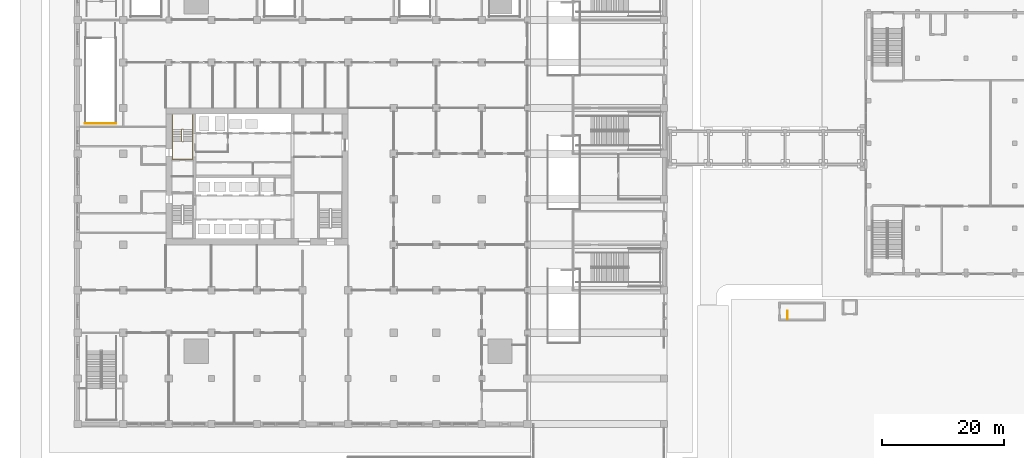
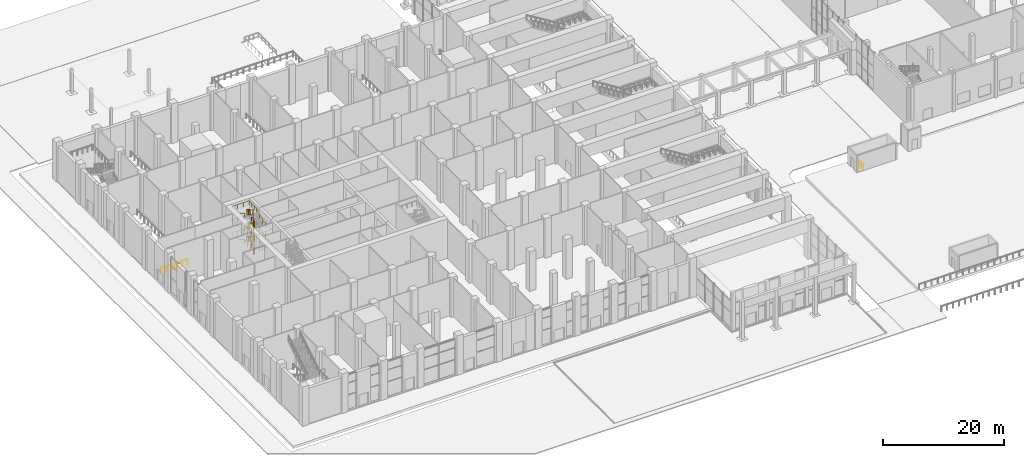
# One storey, part 44 of 57: 4 railings.
"""IFC4 building model written with IfcOpenShell, lengths in metres."""

from ifc_helpers import new_model, si_unit, direction, frame, origin, origin_2d, place, context, subcontext, project, spatial, circle, extrude, material, type_object, element, save


model = new_model("IFC4")

# Units and contexts
model_context = context("Model", 3, precision=1e-05, world=origin(), true_north=direction((0.0, 1.0)))
body_context = subcontext(model_context, "Body", "Model", "MODEL_VIEW")
ifc_project = project(units=[si_unit("LENGTHUNIT", "METRE"), si_unit("AREAUNIT", "SQUARE_METRE"), si_unit("VOLUMEUNIT", "CUBIC_METRE"), si_unit("PLANEANGLEUNIT", "RADIAN"), si_unit("MASSUNIT", "GRAM", prefix="KILO")], contexts=[model_context])

# Site, building, storey
site_placement = place(None, origin())
site = spatial("IfcSite", under=ifc_project, at=site_placement, CompositionType="ELEMENT")
building_placement = place(site_placement, origin())
building = spatial("IfcBuilding", under=site, at=building_placement, Name="Tamorin Gate", CompositionType="ELEMENT")
storey_placement = place(building_placement, origin())
storey = spatial("IfcBuildingStorey", under=building, at=storey_placement, Name="L00", CompositionType="ELEMENT", Elevation=0.0)

# Railings
ifc_material_1 = material(Name="Steel", Category="steel")
railing_type_1 = type_object("IfcRailingType", Name="Podium guard 1100", PredefinedType="GUARDRAIL", material=ifc_material_1)
railing_1_placement = place(storey_placement, frame((16.675048828125, 79.949951171875, 0.0)))
element("IfcRailing", 1, at=railing_1_placement, inside=storey, type_object=railing_type_1, Name="L00 SB1 top well guard 4", PredefinedType="GUARDRAIL", context=body_context, shape_type="SweptSolid", body=[
    extrude(circle(Radius=0.02392578125, at=origin_2d()), frame((0.0, 0.0, 1.076171875), z_axis=(1.0, 0.0, 0.0), x_axis=(0.0, 1.0, 0.0)), (0.0, 0.0, 1.0), 5.14990234375),
    extrude(circle(Radius=0.02099609375, at=origin_2d()), origin(), (0.0, 0.0, 1.0), 1.052001953125),
    extrude(circle(Radius=0.02099609375, at=origin_2d()), frame((1.030029296875, 0.0, 0.0)), (0.0, 0.0, 1.0), 1.052001953125),
    extrude(circle(Radius=0.02099609375, at=origin_2d()), frame((2.06005859375, 0.0, 0.0)), (0.0, 0.0, 1.0), 1.052001953125),
    extrude(circle(Radius=0.02099609375, at=origin_2d()), frame((3.08984375, 0.0, 0.0)), (0.0, 0.0, 1.0), 1.052001953125),
    extrude(circle(Radius=0.02099609375, at=origin_2d()), frame((4.119873046875, 0.0, 0.0)), (0.0, 0.0, 1.0), 1.052001953125),
    extrude(circle(Radius=0.02099609375, at=origin_2d()), frame((5.14990234375, 0.0, 0.0)), (0.0, 0.0, 1.0), 1.052001953125),
])
ifc_material_2 = material(Name="Painted steel balustrade", Category="steel")
railing_type_2 = type_object("IfcRailingType", Name="Stair guard 1100", PredefinedType="GUARDRAIL", material=ifc_material_2)
railing_2_placement = place(storey_placement, frame((32.89990234375, 77.0, 0.166748046875)))
element("IfcRailing", 2, at=railing_2_placement, inside=storey, type_object=railing_type_2, Name="L00 ST2 stair guard 1", PredefinedType="GUARDRAIL", context=body_context, shape_type="SweptSolid", body=[
    extrude(circle(Radius=0.02392578125, at=origin_2d()), frame((0.0, 0.0, 1.076171875), z_axis=(0.0, 0.85931976652, 0.511438695121), x_axis=(-1.0, 0.0, 0.0)), (0.0, 0.0, 1.0), 2.28076171875),
    extrude(circle(Radius=0.02392578125, at=origin_2d()), frame((0.0, 1.9599609375, 2.24267578125), z_axis=(-0.705375805398, 0.708833529934, 0.0), x_axis=(-0.708833529934, -0.705375805398, 0.0)), (0.0, 0.0, 1.0), 0.070556640625),
    extrude(circle(Radius=0.02392578125, at=origin_2d()), frame((-0.0498046875, 2.010009765625, 2.24267578125), z_axis=(-1.0, 0.0, 0.0), x_axis=(0.0, -1.0, 0.0)), (0.0, 0.0, 1.0), 0.2001953125),
    extrude(circle(Radius=0.02392578125, at=origin_2d()), frame((-0.25, 2.010009765625, 2.24267578125), z_axis=(-0.275041040955, -0.276389281352, 0.920848191041), x_axis=(0.708833529934, -0.705375805398, 0.0)), (0.0, 0.0, 1.0), 0.18115234375),
    extrude(circle(Radius=0.02392578125, at=origin_2d()), frame((-0.2998046875, 1.9599609375, 2.4091796875), z_axis=(0.0, -0.859272722373, 0.511517730471), x_axis=(1.0, 0.0, 0.0)), (0.0, 0.0, 1.0), 2.281005859375),
    extrude(circle(Radius=0.02392578125, at=origin_2d()), frame((-0.2998046875, 0.0, 3.576171875), z_axis=(0.98054382908, -0.196300278283, 0.0), x_axis=(0.196300278283, 0.98054382908, 0.0)), (0.0, 0.0, 1.0), 0.2548828125),
    extrude(circle(Radius=0.02392578125, at=origin_2d()), frame((-0.0498046875, -0.050048828125, 3.576171875), z_axis=(-1.0, 0.0, 0.0), x_axis=(0.0, -1.0, 0.0)), (0.0, 0.0, 1.0), 0.2001953125),
    extrude(circle(Radius=0.02392578125, at=origin_2d()), frame((-0.25, -0.050048828125, 3.576171875), z_axis=(0.820981822184, 0.164356712449, 0.546786721416), x_axis=(-0.196300278283, 0.98054382908, 0.0)), (0.0, 0.0, 1.0), 0.304443359375),
    extrude(circle(Radius=0.02392578125, at=origin_2d()), frame((0.0, 0.0, 3.74267578125), z_axis=(0.0, 0.859272722373, 0.511517730471), x_axis=(-1.0, 0.0, 0.0)), (0.0, 0.0, 1.0), 2.281005859375),
    extrude(circle(Radius=0.02392578125, at=origin_2d()), frame((0.0, 1.9599609375, 4.9091796875), z_axis=(-0.705375805398, 0.708833529934, 0.0), x_axis=(-0.708833529934, -0.705375805398, 0.0)), (0.0, 0.0, 1.0), 0.070556640625),
    extrude(circle(Radius=0.02392578125, at=origin_2d()), frame((-0.0498046875, 2.010009765625, 4.9091796875), z_axis=(-1.0, 0.0, 0.0), x_axis=(0.0, -1.0, 0.0)), (0.0, 0.0, 1.0), 0.2001953125),
    extrude(circle(Radius=0.02392578125, at=origin_2d()), frame((-0.25, 2.010009765625, 4.9091796875), z_axis=(-0.275041040955, -0.276389281352, 0.920848191041), x_axis=(0.708833529934, -0.705375805398, 0.0)), (0.0, 0.0, 1.0), 0.18115234375),
    extrude(circle(Radius=0.02392578125, at=origin_2d()), frame((-0.2998046875, 1.9599609375, 5.076171875), z_axis=(0.0, -0.85931976652, 0.511438695121), x_axis=(1.0, 0.0, 0.0)), (0.0, 0.0, 1.0), 2.28076171875),
    extrude(circle(Radius=0.02392578125, at=origin_2d()), frame((-0.2998046875, 0.0, 6.24267578125), z_axis=(0.98054382908, -0.196300278283, 0.0), x_axis=(0.196300278283, 0.98054382908, 0.0)), (0.0, 0.0, 1.0), 0.2548828125),
    extrude(circle(Radius=0.02392578125, at=origin_2d()), frame((-0.0498046875, -0.050048828125, 6.24267578125), z_axis=(-1.0, 0.0, 0.0), x_axis=(0.0, -1.0, 0.0)), (0.0, 0.0, 1.0), 0.2001953125),
    extrude(circle(Radius=0.02392578125, at=origin_2d()), frame((-0.25, -0.050048828125, 6.24267578125), z_axis=(0.820621892478, 0.164284656209, 0.547348391174), x_axis=(-0.196300278283, 0.98054382908, 0.0)), (0.0, 0.0, 1.0), 0.3046875),
    extrude(circle(Radius=0.02392578125, at=origin_2d()), frame((0.0, 0.0, 6.4091796875), z_axis=(0.0, 0.859272722373, 0.511517730471), x_axis=(-1.0, 0.0, 0.0)), (0.0, 0.0, 1.0), 2.281005859375),
    extrude(circle(Radius=0.02392578125, at=origin_2d()), frame((0.0, 1.9599609375, 7.576171875), z_axis=(-0.705375805398, 0.708833529934, 0.0), x_axis=(-0.708833529934, -0.705375805398, 0.0)), (0.0, 0.0, 1.0), 0.070556640625),
    extrude(circle(Radius=0.02392578125, at=origin_2d()), frame((-0.0498046875, 2.010009765625, 7.576171875), z_axis=(-1.0, 0.0, 0.0), x_axis=(0.0, -1.0, 0.0)), (0.0, 0.0, 1.0), 0.2001953125),
    extrude(circle(Radius=0.02392578125, at=origin_2d()), frame((-0.25, 2.010009765625, 7.576171875), z_axis=(-0.275382897532, -0.276732813696, 0.920642824102), x_axis=(0.708833529934, -0.705375805398, 0.0)), (0.0, 0.0, 1.0), 0.180908203125),
    extrude(circle(Radius=0.02392578125, at=origin_2d()), frame((-0.2998046875, 1.9599609375, 7.74267578125), z_axis=(0.0, -0.859272722373, 0.511517730471), x_axis=(1.0, 0.0, 0.0)), (0.0, 0.0, 1.0), 2.281005859375),
    extrude(circle(Radius=0.02392578125, at=origin_2d()), frame((-0.2998046875, 0.0, 8.9091796875), z_axis=(0.031234141746, -0.006252928768, -0.999492535876), x_axis=(0.196300278283, 0.98054382908, 0.0)), (0.0, 0.0, 1.0), 8.004150390625),
    extrude(circle(Radius=0.02392578125, at=origin_2d()), frame((-0.0498046875, -0.050048828125, 0.9091796875), z_axis=(-1.0, 0.0, 0.0), x_axis=(0.0, -1.0, 0.0)), (0.0, 0.0, 1.0), 0.2001953125),
    extrude(circle(Radius=0.02099609375, at=origin_2d()), origin(), (0.0, 0.0, 1.0), 1.052001953125),
    extrude(circle(Radius=0.02099609375, at=origin_2d()), frame((0.0, 0.97998046875, 0.583251953125)), (0.0, 0.0, 1.0), 1.052001953125),
    extrude(circle(Radius=0.02099609375, at=origin_2d()), frame((0.0, 1.9599609375, 1.16650390625)), (0.0, 0.0, 1.0), 1.052001953125),
    extrude(circle(Radius=0.02099609375, at=origin_2d()), frame((-0.0498046875, 2.010009765625, 1.16650390625)), (0.0, 0.0, 1.0), 1.052001953125),
    extrude(circle(Radius=0.02099609375, at=origin_2d()), frame((-0.25, 2.010009765625, 1.16650390625)), (0.0, 0.0, 1.0), 1.052001953125),
    extrude(circle(Radius=0.02099609375, at=origin_2d()), frame((-0.2998046875, 1.9599609375, 1.333251953125)), (0.0, 0.0, 1.0), 1.052001953125),
    extrude(circle(Radius=0.02099609375, at=origin_2d()), frame((-0.2998046875, 0.97998046875, 1.91650390625)), (0.0, 0.0, 1.0), 1.052001953125),
    extrude(circle(Radius=0.02099609375, at=origin_2d()), frame((-0.2998046875, 0.0, 2.5)), (0.0, 0.0, 1.0), 1.052001953125),
    extrude(circle(Radius=0.02099609375, at=origin_2d()), frame((-0.0498046875, -0.050048828125, 2.5)), (0.0, 0.0, 1.0), 1.052001953125),
    extrude(circle(Radius=0.02099609375, at=origin_2d()), frame((-0.25, -0.050048828125, 2.5)), (0.0, 0.0, 1.0), 1.052001953125),
    extrude(circle(Radius=0.02099609375, at=origin_2d()), frame((0.0, 0.0, 2.66650390625)), (0.0, 0.0, 1.0), 1.052001953125),
    extrude(circle(Radius=0.02099609375, at=origin_2d()), frame((0.0, 0.97998046875, 3.25)), (0.0, 0.0, 1.0), 1.052001953125),
    extrude(circle(Radius=0.02099609375, at=origin_2d()), frame((0.0, 1.9599609375, 3.833251953125)), (0.0, 0.0, 1.0), 1.052001953125),
    extrude(circle(Radius=0.02099609375, at=origin_2d()), frame((-0.0498046875, 2.010009765625, 3.833251953125)), (0.0, 0.0, 1.0), 1.052001953125),
    extrude(circle(Radius=0.02099609375, at=origin_2d()), frame((-0.25, 2.010009765625, 3.833251953125)), (0.0, 0.0, 1.0), 1.052001953125),
    extrude(circle(Radius=0.02099609375, at=origin_2d()), frame((-0.2998046875, 1.9599609375, 4.0)), (0.0, 0.0, 1.0), 1.052001953125),
    extrude(circle(Radius=0.02099609375, at=origin_2d()), frame((-0.2998046875, 0.97998046875, 4.583251953125)), (0.0, 0.0, 1.0), 1.052001953125),
    extrude(circle(Radius=0.02099609375, at=origin_2d()), frame((-0.2998046875, 0.0, 5.16650390625)), (0.0, 0.0, 1.0), 1.052001953125),
    extrude(circle(Radius=0.02099609375, at=origin_2d()), frame((-0.0498046875, -0.050048828125, 5.16650390625)), (0.0, 0.0, 1.0), 1.052001953125),
    extrude(circle(Radius=0.02099609375, at=origin_2d()), frame((-0.25, -0.050048828125, 5.16650390625)), (0.0, 0.0, 1.0), 1.052001953125),
    extrude(circle(Radius=0.02099609375, at=origin_2d()), frame((0.0, 0.0, 5.333251953125)), (0.0, 0.0, 1.0), 1.052001953125),
    extrude(circle(Radius=0.02099609375, at=origin_2d()), frame((0.0, 0.97998046875, 5.91650390625)), (0.0, 0.0, 1.0), 1.052001953125),
    extrude(circle(Radius=0.02099609375, at=origin_2d()), frame((0.0, 1.9599609375, 6.5)), (0.0, 0.0, 1.0), 1.052001953125),
    extrude(circle(Radius=0.02099609375, at=origin_2d()), frame((-0.0498046875, 2.010009765625, 6.5)), (0.0, 0.0, 1.0), 1.052001953125),
    extrude(circle(Radius=0.02099609375, at=origin_2d()), frame((-0.25, 2.010009765625, 6.5)), (0.0, 0.0, 1.0), 1.052001953125),
    extrude(circle(Radius=0.02099609375, at=origin_2d()), frame((-0.2998046875, 1.9599609375, 6.66650390625)), (0.0, 0.0, 1.0), 1.052001953125),
    extrude(circle(Radius=0.02099609375, at=origin_2d()), frame((-0.2998046875, 0.97998046875, 7.25)), (0.0, 0.0, 1.0), 1.052001953125),
    extrude(circle(Radius=0.02099609375, at=origin_2d()), frame((-0.2998046875, 0.0, 7.833251953125)), (0.0, 0.0, 1.0), 1.052001953125),
    extrude(circle(Radius=0.02099609375, at=origin_2d()), frame((-0.26416015625, -0.007080078125, 6.6904296875)), (0.0, 0.0, 1.0), 1.052001953125),
    extrude(circle(Radius=0.02099609375, at=origin_2d()), frame((-0.228271484375, -0.014404296875, 5.547607421875)), (0.0, 0.0, 1.0), 1.052001953125),
    extrude(circle(Radius=0.02099609375, at=origin_2d()), frame((-0.192626953125, -0.021484375, 4.40478515625)), (0.0, 0.0, 1.0), 1.052001953125),
    extrude(circle(Radius=0.02099609375, at=origin_2d()), frame((-0.156982421875, -0.028564453125, 3.26171875)), (0.0, 0.0, 1.0), 1.052001953125),
    extrude(circle(Radius=0.02099609375, at=origin_2d()), frame((-0.121337890625, -0.03564453125, 2.118896484375)), (0.0, 0.0, 1.0), 1.052001953125),
    extrude(circle(Radius=0.02099609375, at=origin_2d()), frame((-0.08544921875, -0.04296875, 0.97607421875)), (0.0, 0.0, 1.0), 1.052001953125),
    extrude(circle(Radius=0.02099609375, at=origin_2d()), frame((-0.0498046875, -0.050048828125, -0.166748046875)), (0.0, 0.0, 1.0), 1.052001953125),
    extrude(circle(Radius=0.02099609375, at=origin_2d()), frame((-0.25, -0.050048828125, -0.166748046875)), (0.0, 0.0, 1.0), 1.052001953125),
])
ifc_material_3 = material(Name="Painted steel handrail", Category="steel")
railing_type_3 = type_object("IfcRailingType", Name="Stair handrail 900", PredefinedType="HANDRAIL", material=ifc_material_3)
railing_3_placement = place(storey_placement, frame((34.449951171875, 77.0, 0.166748046875)))
element("IfcRailing", 3, at=railing_3_placement, inside=storey, type_object=railing_type_3, Name="L00 ST2 stair handrail 1", PredefinedType="HANDRAIL", context=body_context, shape_type="SweptSolid", body=[
    extrude(circle(Radius=0.02392578125, at=origin_2d()), frame((0.0, 0.0, 0.8759765625), z_axis=(0.0, 0.85931976652, 0.511438695121), x_axis=(-1.0, 0.0, 0.0)), (0.0, 0.0, 1.0), 2.28076171875),
    extrude(circle(Radius=0.02392578125, at=origin_2d()), frame((0.0, 1.9599609375, 2.04248046875), z_axis=(0.0, 1.0, 0.0), x_axis=(-1.0, 0.0, 0.0)), (0.0, 0.0, 1.0), 2.489990234375),
    extrude(circle(Radius=0.02392578125, at=origin_2d()), frame((0.0, 4.449951171875, 2.04248046875), z_axis=(-1.0, 0.0, 0.0), x_axis=(0.0, -1.0, 0.0)), (0.0, 0.0, 1.0), 3.39990234375),
    extrude(circle(Radius=0.02392578125, at=origin_2d()), frame((-3.39990234375, 4.449951171875, 2.04248046875), z_axis=(0.0, -0.99776520091, 0.066817691168), x_axis=(1.0, 0.0, 0.0)), (0.0, 0.0, 1.0), 2.49560546875),
    extrude(circle(Radius=0.02392578125, at=origin_2d()), frame((-3.39990234375, 1.9599609375, 2.208984375), z_axis=(0.0, -0.859272722373, 0.511517730471), x_axis=(1.0, 0.0, 0.0)), (0.0, 0.0, 1.0), 2.281005859375),
    extrude(circle(Radius=0.02392578125, at=origin_2d()), frame((-3.39990234375, 0.0, 3.3759765625), z_axis=(0.0, -1.0, 0.0), x_axis=(1.0, 0.0, 0.0)), (0.0, 0.0, 1.0), 2.949951171875),
    extrude(circle(Radius=0.02392578125, at=origin_2d()), frame((-3.39990234375, -2.949951171875, 3.3759765625), z_axis=(1.0, 0.0, 0.0), x_axis=(0.0, 1.0, 0.0)), (0.0, 0.0, 1.0), 3.39990234375),
    extrude(circle(Radius=0.02392578125, at=origin_2d()), frame((0.0, -2.949951171875, 3.3759765625), z_axis=(0.0, 0.998410893399, 0.056353242514), x_axis=(-1.0, 0.0, 0.0)), (0.0, 0.0, 1.0), 2.95458984375),
    extrude(circle(Radius=0.02392578125, at=origin_2d()), frame((0.0, 0.0, 3.54248046875), z_axis=(0.0, 0.859272722373, 0.511517730471), x_axis=(-1.0, 0.0, 0.0)), (0.0, 0.0, 1.0), 2.281005859375),
    extrude(circle(Radius=0.02392578125, at=origin_2d()), frame((0.0, 1.9599609375, 4.708984375), z_axis=(0.0, 1.0, 0.0), x_axis=(-1.0, 0.0, 0.0)), (0.0, 0.0, 1.0), 2.489990234375),
    extrude(circle(Radius=0.02392578125, at=origin_2d()), frame((0.0, 4.449951171875, 4.708984375), z_axis=(-1.0, 0.0, 0.0), x_axis=(0.0, -1.0, 0.0)), (0.0, 0.0, 1.0), 3.39990234375),
    extrude(circle(Radius=0.02392578125, at=origin_2d()), frame((-3.39990234375, 4.449951171875, 4.708984375), z_axis=(0.0, -0.99776520091, 0.066817691168), x_axis=(1.0, 0.0, 0.0)), (0.0, 0.0, 1.0), 2.49560546875),
    extrude(circle(Radius=0.02392578125, at=origin_2d()), frame((-3.39990234375, 1.9599609375, 4.8759765625), z_axis=(0.0, -0.85931976652, 0.511438695121), x_axis=(1.0, 0.0, 0.0)), (0.0, 0.0, 1.0), 2.28076171875),
    extrude(circle(Radius=0.02392578125, at=origin_2d()), frame((-3.39990234375, 0.0, 6.04248046875), z_axis=(0.0, -1.0, 0.0), x_axis=(1.0, 0.0, 0.0)), (0.0, 0.0, 1.0), 2.949951171875),
    extrude(circle(Radius=0.02392578125, at=origin_2d()), frame((-3.39990234375, -2.949951171875, 6.04248046875), z_axis=(1.0, 0.0, 0.0), x_axis=(0.0, 1.0, 0.0)), (0.0, 0.0, 1.0), 3.39990234375),
    extrude(circle(Radius=0.02392578125, at=origin_2d()), frame((0.0, -2.949951171875, 6.04248046875), z_axis=(0.0, 0.998406240989, 0.056435608921), x_axis=(-1.0, 0.0, 0.0)), (0.0, 0.0, 1.0), 2.95458984375),
    extrude(circle(Radius=0.02392578125, at=origin_2d()), frame((0.0, 0.0, 6.208984375), z_axis=(0.0, 0.859272722373, 0.511517730471), x_axis=(-1.0, 0.0, 0.0)), (0.0, 0.0, 1.0), 2.281005859375),
    extrude(circle(Radius=0.02392578125, at=origin_2d()), frame((0.0, 1.9599609375, 7.3759765625), z_axis=(0.0, 1.0, 0.0), x_axis=(-1.0, 0.0, 0.0)), (0.0, 0.0, 1.0), 2.489990234375),
    extrude(circle(Radius=0.02392578125, at=origin_2d()), frame((0.0, 4.449951171875, 7.3759765625), z_axis=(-1.0, 0.0, 0.0), x_axis=(0.0, -1.0, 0.0)), (0.0, 0.0, 1.0), 3.39990234375),
    extrude(circle(Radius=0.02392578125, at=origin_2d()), frame((-3.39990234375, 4.449951171875, 7.3759765625), z_axis=(0.0, -0.997771718346, 0.066720297275), x_axis=(1.0, 0.0, 0.0)), (0.0, 0.0, 1.0), 2.49560546875),
    extrude(circle(Radius=0.02392578125, at=origin_2d()), frame((-3.39990234375, 1.9599609375, 7.54248046875), z_axis=(0.0, -0.859272722373, 0.511517730471), x_axis=(1.0, 0.0, 0.0)), (0.0, 0.0, 1.0), 2.281005859375),
    extrude(circle(Radius=0.02099609375, at=origin_2d()), origin(), (0.0, 0.0, 1.0), 0.851806640625),
    extrude(circle(Radius=0.02099609375, at=origin_2d()), frame((0.0, 0.97998046875, 0.583251953125)), (0.0, 0.0, 1.0), 0.851806640625),
    extrude(circle(Radius=0.02099609375, at=origin_2d()), frame((0.0, 1.9599609375, 1.16650390625)), (0.0, 0.0, 1.0), 0.851806640625),
    extrude(circle(Radius=0.02099609375, at=origin_2d()), frame((0.0, 2.7900390625, 1.16650390625)), (0.0, 0.0, 1.0), 0.851806640625),
    extrude(circle(Radius=0.02099609375, at=origin_2d()), frame((0.0, 3.619873046875, 1.16650390625)), (0.0, 0.0, 1.0), 0.851806640625),
    extrude(circle(Radius=0.02099609375, at=origin_2d()), frame((0.0, 4.449951171875, 1.16650390625)), (0.0, 0.0, 1.0), 0.851806640625),
    extrude(circle(Radius=0.02099609375, at=origin_2d()), frame((-1.13330078125, 4.449951171875, 1.16650390625)), (0.0, 0.0, 1.0), 0.851806640625),
    extrude(circle(Radius=0.02099609375, at=origin_2d()), frame((-2.2666015625, 4.449951171875, 1.16650390625)), (0.0, 0.0, 1.0), 0.851806640625),
    extrude(circle(Radius=0.02099609375, at=origin_2d()), frame((-3.39990234375, 4.449951171875, 1.16650390625)), (0.0, 0.0, 1.0), 0.851806640625),
    extrude(circle(Radius=0.02099609375, at=origin_2d()), frame((-3.39990234375, 3.619873046875, 1.22216796875)), (0.0, 0.0, 1.0), 0.851806640625),
    extrude(circle(Radius=0.02099609375, at=origin_2d()), frame((-3.39990234375, 2.7900390625, 1.277587890625)), (0.0, 0.0, 1.0), 0.851806640625),
    extrude(circle(Radius=0.02099609375, at=origin_2d()), frame((-3.39990234375, 1.9599609375, 1.333251953125)), (0.0, 0.0, 1.0), 0.851806640625),
    extrude(circle(Radius=0.02099609375, at=origin_2d()), frame((-3.39990234375, 0.97998046875, 1.91650390625)), (0.0, 0.0, 1.0), 0.851806640625),
    extrude(circle(Radius=0.02099609375, at=origin_2d()), frame((-3.39990234375, 0.0, 2.5)), (0.0, 0.0, 1.0), 0.851806640625),
    extrude(circle(Radius=0.02099609375, at=origin_2d()), frame((-3.39990234375, -0.9833984375, 2.5)), (0.0, 0.0, 1.0), 0.851806640625),
    extrude(circle(Radius=0.02099609375, at=origin_2d()), frame((-3.39990234375, -1.966552734375, 2.5)), (0.0, 0.0, 1.0), 0.851806640625),
    extrude(circle(Radius=0.02099609375, at=origin_2d()), frame((-3.39990234375, -2.949951171875, 2.5)), (0.0, 0.0, 1.0), 0.851806640625),
    extrude(circle(Radius=0.02099609375, at=origin_2d()), frame((-2.2666015625, -2.949951171875, 2.5)), (0.0, 0.0, 1.0), 0.851806640625),
    extrude(circle(Radius=0.02099609375, at=origin_2d()), frame((-1.13330078125, -2.949951171875, 2.5)), (0.0, 0.0, 1.0), 0.851806640625),
    extrude(circle(Radius=0.02099609375, at=origin_2d()), frame((0.0, -2.949951171875, 2.5)), (0.0, 0.0, 1.0), 0.851806640625),
    extrude(circle(Radius=0.02099609375, at=origin_2d()), frame((0.0, -1.966552734375, 2.555419921875)), (0.0, 0.0, 1.0), 0.851806640625),
    extrude(circle(Radius=0.02099609375, at=origin_2d()), frame((0.0, -0.9833984375, 2.611083984375)), (0.0, 0.0, 1.0), 0.851806640625),
    extrude(circle(Radius=0.02099609375, at=origin_2d()), frame((0.0, 0.0, 2.66650390625)), (0.0, 0.0, 1.0), 0.851806640625),
    extrude(circle(Radius=0.02099609375, at=origin_2d()), frame((0.0, 0.97998046875, 3.25)), (0.0, 0.0, 1.0), 0.851806640625),
    extrude(circle(Radius=0.02099609375, at=origin_2d()), frame((0.0, 1.9599609375, 3.833251953125)), (0.0, 0.0, 1.0), 0.851806640625),
    extrude(circle(Radius=0.02099609375, at=origin_2d()), frame((0.0, 2.7900390625, 3.833251953125)), (0.0, 0.0, 1.0), 0.851806640625),
    extrude(circle(Radius=0.02099609375, at=origin_2d()), frame((0.0, 3.619873046875, 3.833251953125)), (0.0, 0.0, 1.0), 0.851806640625),
    extrude(circle(Radius=0.02099609375, at=origin_2d()), frame((0.0, 4.449951171875, 3.833251953125)), (0.0, 0.0, 1.0), 0.851806640625),
    extrude(circle(Radius=0.02099609375, at=origin_2d()), frame((-1.13330078125, 4.449951171875, 3.833251953125)), (0.0, 0.0, 1.0), 0.851806640625),
    extrude(circle(Radius=0.02099609375, at=origin_2d()), frame((-2.2666015625, 4.449951171875, 3.833251953125)), (0.0, 0.0, 1.0), 0.851806640625),
    extrude(circle(Radius=0.02099609375, at=origin_2d()), frame((-3.39990234375, 4.449951171875, 3.833251953125)), (0.0, 0.0, 1.0), 0.851806640625),
    extrude(circle(Radius=0.02099609375, at=origin_2d()), frame((-3.39990234375, 3.619873046875, 3.888916015625)), (0.0, 0.0, 1.0), 0.851806640625),
    extrude(circle(Radius=0.02099609375, at=origin_2d()), frame((-3.39990234375, 2.7900390625, 3.9443359375)), (0.0, 0.0, 1.0), 0.851806640625),
    extrude(circle(Radius=0.02099609375, at=origin_2d()), frame((-3.39990234375, 1.9599609375, 4.0)), (0.0, 0.0, 1.0), 0.851806640625),
    extrude(circle(Radius=0.02099609375, at=origin_2d()), frame((-3.39990234375, 0.97998046875, 4.583251953125)), (0.0, 0.0, 1.0), 0.851806640625),
    extrude(circle(Radius=0.02099609375, at=origin_2d()), frame((-3.39990234375, 0.0, 5.16650390625)), (0.0, 0.0, 1.0), 0.851806640625),
    extrude(circle(Radius=0.02099609375, at=origin_2d()), frame((-3.39990234375, -0.9833984375, 5.16650390625)), (0.0, 0.0, 1.0), 0.851806640625),
    extrude(circle(Radius=0.02099609375, at=origin_2d()), frame((-3.39990234375, -1.966552734375, 5.16650390625)), (0.0, 0.0, 1.0), 0.851806640625),
    extrude(circle(Radius=0.02099609375, at=origin_2d()), frame((-3.39990234375, -2.949951171875, 5.16650390625)), (0.0, 0.0, 1.0), 0.851806640625),
    extrude(circle(Radius=0.02099609375, at=origin_2d()), frame((-2.2666015625, -2.949951171875, 5.16650390625)), (0.0, 0.0, 1.0), 0.851806640625),
    extrude(circle(Radius=0.02099609375, at=origin_2d()), frame((-1.13330078125, -2.949951171875, 5.16650390625)), (0.0, 0.0, 1.0), 0.851806640625),
    extrude(circle(Radius=0.02099609375, at=origin_2d()), frame((0.0, -2.949951171875, 5.16650390625)), (0.0, 0.0, 1.0), 0.851806640625),
    extrude(circle(Radius=0.02099609375, at=origin_2d()), frame((0.0, -1.966552734375, 5.22216796875)), (0.0, 0.0, 1.0), 0.851806640625),
    extrude(circle(Radius=0.02099609375, at=origin_2d()), frame((0.0, -0.9833984375, 5.277587890625)), (0.0, 0.0, 1.0), 0.851806640625),
    extrude(circle(Radius=0.02099609375, at=origin_2d()), frame((0.0, 0.0, 5.333251953125)), (0.0, 0.0, 1.0), 0.851806640625),
    extrude(circle(Radius=0.02099609375, at=origin_2d()), frame((0.0, 0.97998046875, 5.91650390625)), (0.0, 0.0, 1.0), 0.851806640625),
    extrude(circle(Radius=0.02099609375, at=origin_2d()), frame((0.0, 1.9599609375, 6.5)), (0.0, 0.0, 1.0), 0.851806640625),
    extrude(circle(Radius=0.02099609375, at=origin_2d()), frame((0.0, 2.7900390625, 6.5)), (0.0, 0.0, 1.0), 0.851806640625),
    extrude(circle(Radius=0.02099609375, at=origin_2d()), frame((0.0, 3.619873046875, 6.5)), (0.0, 0.0, 1.0), 0.851806640625),
    extrude(circle(Radius=0.02099609375, at=origin_2d()), frame((0.0, 4.449951171875, 6.5)), (0.0, 0.0, 1.0), 0.851806640625),
    extrude(circle(Radius=0.02099609375, at=origin_2d()), frame((-1.13330078125, 4.449951171875, 6.5)), (0.0, 0.0, 1.0), 0.851806640625),
    extrude(circle(Radius=0.02099609375, at=origin_2d()), frame((-2.2666015625, 4.449951171875, 6.5)), (0.0, 0.0, 1.0), 0.851806640625),
    extrude(circle(Radius=0.02099609375, at=origin_2d()), frame((-3.39990234375, 4.449951171875, 6.5)), (0.0, 0.0, 1.0), 0.851806640625),
    extrude(circle(Radius=0.02099609375, at=origin_2d()), frame((-3.39990234375, 3.619873046875, 6.555419921875)), (0.0, 0.0, 1.0), 0.851806640625),
    extrude(circle(Radius=0.02099609375, at=origin_2d()), frame((-3.39990234375, 2.7900390625, 6.611083984375)), (0.0, 0.0, 1.0), 0.851806640625),
    extrude(circle(Radius=0.02099609375, at=origin_2d()), frame((-3.39990234375, 1.9599609375, 6.66650390625)), (0.0, 0.0, 1.0), 0.851806640625),
    extrude(circle(Radius=0.02099609375, at=origin_2d()), frame((-3.39990234375, 0.97998046875, 7.25)), (0.0, 0.0, 1.0), 0.851806640625),
    extrude(circle(Radius=0.02099609375, at=origin_2d()), frame((-3.39990234375, 0.0, 7.833251953125)), (0.0, 0.0, 1.0), 0.851806640625),
])
ifc_material_4 = material(Name="Steel, galvanised", Category="steel")
railing_type_4 = type_object("IfcRailingType", Name="Steel guard 1100", PredefinedType="GUARDRAIL", material=ifc_material_4)
railing_4_placement = place(storey_placement, frame((132.300048828125, 47.75, 0.0)))
element("IfcRailing", 4, at=railing_4_placement, inside=storey, type_object=railing_type_4, Name="L00 SB7 top well guard 1", PredefinedType="GUARDRAIL", context=body_context, shape_type="SweptSolid", body=[
    extrude(circle(Radius=0.02392578125, at=origin_2d()), frame((0.0, 0.0, 1.076171875), z_axis=(0.0, 1.0, 0.0), x_axis=(-1.0, 0.0, 0.0)), (0.0, 0.0, 1.0), 1.35009765625),
    extrude(circle(Radius=0.02099609375, at=origin_2d()), origin(), (0.0, 0.0, 1.0), 1.052001953125),
    extrude(circle(Radius=0.02099609375, at=origin_2d()), frame((0.0, 0.675048828125, 0.0)), (0.0, 0.0, 1.0), 1.052001953125),
    extrude(circle(Radius=0.02099609375, at=origin_2d()), frame((0.0, 1.35009765625, 0.0)), (0.0, 0.0, 1.0), 1.052001953125),
])

save(model, "model.ifc")
